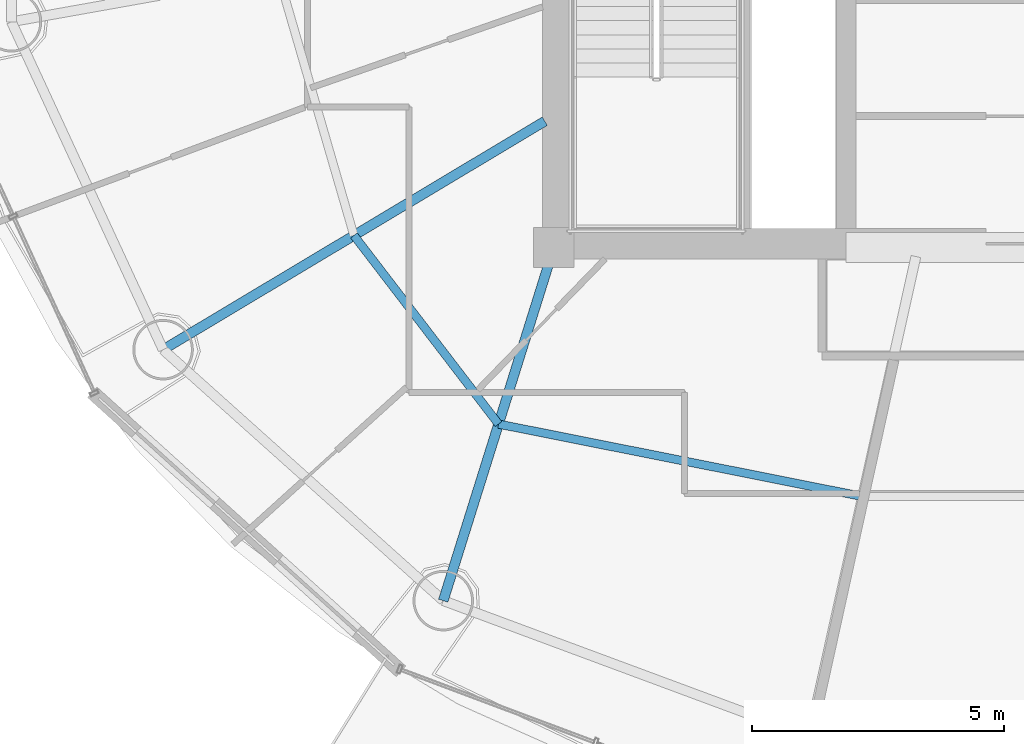
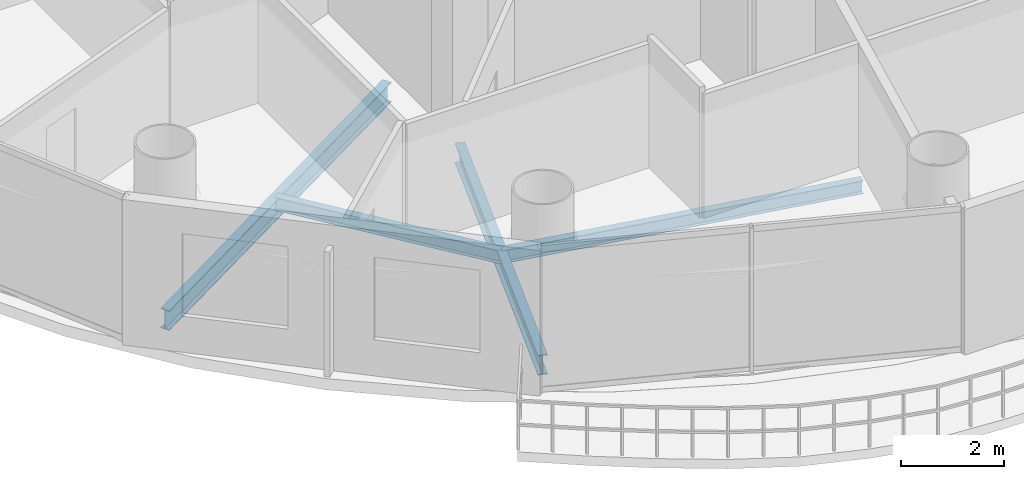
# One storey, part 4 of 26: 4 beams.
"""IFC4 building model written with IfcOpenShell, lengths in metres."""

from ifc_helpers import new_model, si_unit, direction, frame, origin, origin_2d, place, context, subcontext, project, spatial, i_section, extrude, material, material_profile, profile_set, type_object, element, save


model = new_model("IFC4")

# Units and contexts
model_context = context("Model", 3, precision=1e-05, world=origin(), true_north=direction((-0.2419218956, 0.970295726276)))
body_context = subcontext(model_context, "Body", "Model", "MODEL_VIEW")
ifc_project = project(units=[si_unit("LENGTHUNIT", "METRE"), si_unit("AREAUNIT", "SQUARE_METRE"), si_unit("VOLUMEUNIT", "CUBIC_METRE"), si_unit("PLANEANGLEUNIT", "RADIAN"), si_unit("MASSUNIT", "GRAM", prefix="KILO")], contexts=[model_context])

# Site, building, storey
site_placement = place(None, origin())
site = spatial("IfcSite", under=ifc_project, at=site_placement, CompositionType="ELEMENT")
building_placement = place(site_placement, origin())
building = spatial("IfcBuilding", under=site, at=building_placement, Name="Cobrevalo Terracotta Tower", CompositionType="ELEMENT")
storey_placement = place(building_placement, frame((0.0, 0.0, 228.199951171875)))
storey = spatial("IfcBuildingStorey", under=building, at=storey_placement, Name="L60", CompositionType="ELEMENT", Elevation=228.199951171875)

# Beams
ifc_material = material(Name="Steel S355", Category="steel")
ifc_material_profile_1 = material_profile(ifc_material, i_section(OverallWidth=0.194091796875, OverallDepth=0.468994140625, WebThickness=0.011474609375, FlangeThickness=0.0205078125, at=origin_2d()), Name="W 460x106")
ifc_profile_set_1 = profile_set([ifc_material_profile_1], Name="Steel S355")
beam_type_1 = type_object("IfcBeamType", Name="Structural Beam W 460x106 (Steel S355)", PredefinedType="BEAM", material=ifc_profile_set_1)
beam_1_placement = place(storey_placement, frame((21.245849609375, 16.77197265625, -0.49951171875), z_axis=(0.858046392192, 0.513572184651, 0.0), x_axis=(-0.513572184651, 0.858046392192, 0.0)))
element("IfcBeam", 1, at=beam_1_placement, inside=storey, type_object=beam_type_1, Name="L60 radial floor girder 10", PredefinedType="BEAM", context=body_context, shape_type="SweptSolid", body=[
    extrude(i_section(OverallWidth=0.194091796875, OverallDepth=0.468994140625, WebThickness=0.011474609375, FlangeThickness=0.0205078125, at=origin_2d()), origin(), (0.0, 0.0, 1.0), 8.827392578125),
])
beam_2_placement = place(storey_placement, frame((26.80517578125, 11.7919921875, -0.49951171875), z_axis=(0.298871212691, 0.954293454984, 0.0), x_axis=(-0.954293454984, 0.298871212691, 0.0)))
element("IfcBeam", 2, at=beam_2_placement, inside=storey, type_object=beam_type_1, Name="L60 radial floor girder 11", PredefinedType="BEAM", context=body_context, shape_type="SweptSolid", body=[
    extrude(i_section(OverallWidth=0.194091796875, OverallDepth=0.468994140625, WebThickness=0.011474609375, FlangeThickness=0.0205078125, at=origin_2d()), origin(), (0.0, 0.0, 1.0), 7.34375),
])
ifc_material_profile_2 = material_profile(ifc_material, i_section(OverallWidth=0.1650390625, OverallDepth=0.31005859375, WebThickness=0.005859375, FlangeThickness=0.009765625, at=origin_2d()), Name="W 310x38.7")
ifc_profile_set_2 = profile_set([ifc_material_profile_2], Name="Steel S355")
beam_type_2 = type_object("IfcBeamType", Name="Structural Joist W 310x38.7 (Steel S355)", PredefinedType="JOIST", material=ifc_profile_set_2)
beam_3_placement = place(storey_placement, frame((25.032958984375, 19.03857421875, -0.419921875), z_axis=(0.608464146296, -0.793581364872, 0.0), x_axis=(0.793581364872, 0.608464146296, 0.0)))
element("IfcBeam", 3, at=beam_3_placement, inside=storey, type_object=beam_type_2, Name="L60 circumferential secondary floor joist 10", PredefinedType="JOIST", context=body_context, shape_type="SweptSolid", body=[
    extrude(i_section(OverallWidth=0.1650390625, OverallDepth=0.31005859375, WebThickness=0.005859375, FlangeThickness=0.009765625, at=origin_2d()), origin(), (0.0, 0.0, 1.0), 4.716064453125),
])
beam_4_placement = place(storey_placement, frame((27.902587890625, 15.2958984375, -0.419921875), z_axis=(0.980768907748, -0.195172614871, 0.0), x_axis=(0.195172614871, 0.980768907748, 0.0)))
element("IfcBeam", 4, at=beam_4_placement, inside=storey, type_object=beam_type_2, Name="L60 circumferential secondary floor joist 11", PredefinedType="JOIST", context=body_context, shape_type="SweptSolid", body=[
    extrude(i_section(OverallWidth=0.1650390625, OverallDepth=0.31005859375, WebThickness=0.005859375, FlangeThickness=0.009765625, at=origin_2d()), origin(), (0.0, 0.0, 1.0), 7.365234375),
])

save(model, "model.ifc")
